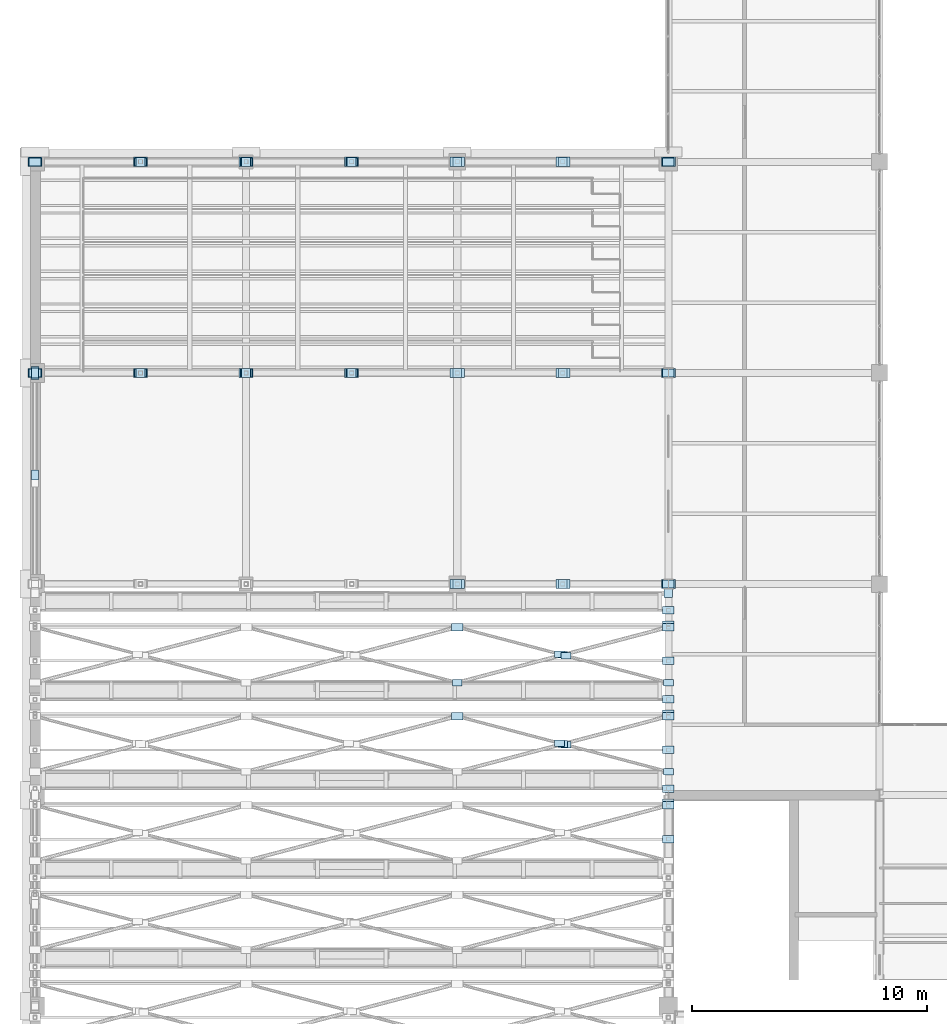
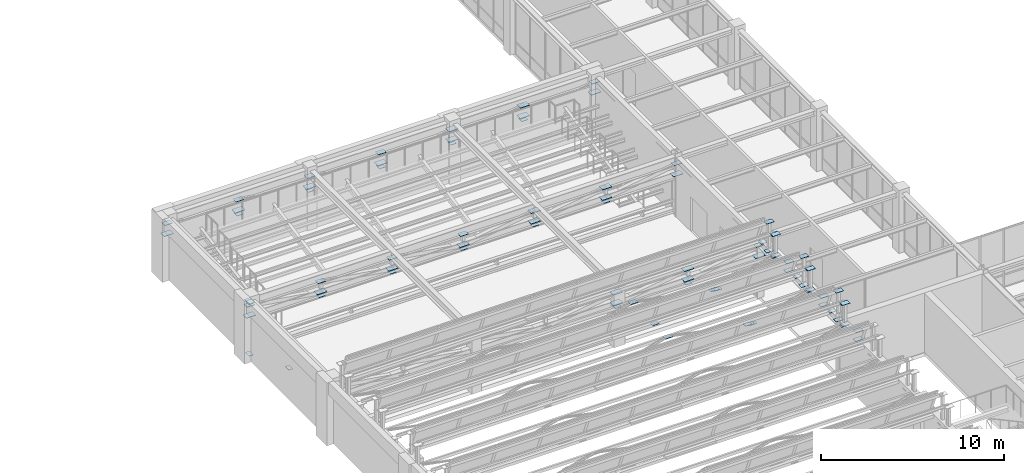
# One storey, part 88 of 108: 85 plates.
"""IFC4 building model written with IfcOpenShell, lengths in metres."""

import ifcopenshell
import ifcopenshell.guid

model = None  # the IFC model being written
_history = None  # IfcOwnerHistory: only IFC2X3 demands one
_inside = {}  # id of a spatial element -> (the spatial element, [elements in it])
_under = {}  # id of a project, library or spatial element -> (it, [spatial elements below it])
_declared = {}  # id of a project -> (the project, [libraries it declares])
_typed = {}  # id of a type object -> (the type object, [elements of that type])
_made_of = {}  # id of a material, layer set ... -> (it, [elements and type objects made of it])


def new_model(schema):
    """Start an empty IFC model of exactly this schema.

    Asked for "IFC4X3", IfcOpenShell would pick the latest addendum, in which some entities
    have other attributes; the version numbers below select the first issue.
    IFC2X3 requires an IfcOwnerHistory on every rooted entity: one is made here for all.
    """
    global model, _history
    if schema == "IFC4X3":
        model = ifcopenshell.file(schema_version=(4, 3, 0, 0))
    else:
        model = ifcopenshell.file(schema=schema)
    _inside.clear()
    _under.clear()
    _declared.clear()
    _typed.clear()
    _made_of.clear()
    _history = None
    if model.schema == "IFC2X3":
        org = make("IfcOrganization", Name="unknown")
        user = make(
            "IfcPersonAndOrganization",
            ThePerson=make("IfcPerson", FamilyName="unknown"),
            TheOrganization=org,
        )
        app = make(
            "IfcApplication",
            ApplicationDeveloper=org,
            Version="unknown",
            ApplicationFullName="unknown",
            ApplicationIdentifier="unknown",
        )
        _history = make(
            "IfcOwnerHistory",
            OwningUser=user,
            OwningApplication=app,
            ChangeAction="ADDED",
            CreationDate=0,
        )
    return model


def make(cls, **values):
    """One entity of the class cls with the attributes given. An attribute that is None is left unset."""
    return model.create_entity(
        cls, **{name: value for name, value in values.items() if value is not None}
    )


def rooted(cls, **values):
    """An entity with a GlobalId (a new one), such as an element, a storey or a relation."""
    return make(cls, GlobalId=ifcopenshell.guid.new(), OwnerHistory=_history, **values)


def si_unit(unit_type, name, prefix=None):
    """IfcSIUnit, for example si_unit("LENGTHUNIT", "METRE", prefix="MILLI")."""
    return make("IfcSIUnit", UnitType=unit_type, Prefix=prefix, Name=name)


def assignment(units):
    """IfcUnitAssignment: the units of a project."""
    return None if units is None else make("IfcUnitAssignment", Units=units)


def point(xyz):
    """IfcCartesianPoint."""
    return None if xyz is None else make("IfcCartesianPoint", Coordinates=xyz)


def direction(xyz):
    """IfcDirection."""
    return None if xyz is None else make("IfcDirection", DirectionRatios=xyz)


def frame(location, z_axis=None, x_axis=None):
    """IfcAxis2Placement3D, a coordinate frame: its origin and axes. An axis left out is left unset."""
    return make(
        "IfcAxis2Placement3D",
        Location=point(location),
        Axis=direction(z_axis),
        RefDirection=direction(x_axis),
    )


def frame_2d(location, x_axis=None):
    """IfcAxis2Placement2D, a coordinate frame in the plane: its origin and x axis."""
    return make(
        "IfcAxis2Placement2D", Location=point(location), RefDirection=direction(x_axis)
    )


def origin():
    """The frame at (0, 0, 0) with its axes left unset."""
    return frame((0.0, 0.0, 0.0))


def origin_2d():
    """The frame at (0, 0) in the plane with its x axis left unset."""
    return frame_2d((0.0, 0.0))


def place(relative_to, where):
    """IfcLocalPlacement: puts the frame where relative to a parent placement (None: the world)."""
    return make(
        "IfcLocalPlacement", PlacementRelTo=relative_to, RelativePlacement=where
    )


def context(
    kind, dimensions, precision=None, world=None, true_north=None, identifier=None
):
    """IfcGeometricRepresentationContext, for example the 3D "Model" context."""
    return make(
        "IfcGeometricRepresentationContext",
        ContextIdentifier=identifier,
        ContextType=kind,
        CoordinateSpaceDimension=dimensions,
        Precision=precision,
        WorldCoordinateSystem=world,
        TrueNorth=true_north,
    )


def subcontext(parent, identifier, kind, view, scale=None):
    """IfcGeometricRepresentationSubContext, for example "Body" below "Model"."""
    return make(
        "IfcGeometricRepresentationSubContext",
        ContextIdentifier=identifier,
        ContextType=kind,
        ParentContext=parent,
        TargetScale=scale,
        TargetView=view,
    )


def project(units=None, contexts=None):
    """IfcProject with its units and contexts."""
    return rooted(
        "IfcProject",
        Name="project",
        RepresentationContexts=contexts,
        UnitsInContext=assignment(units),
    )


def spatial(cls, under=None, at=None, **own):
    """A site, building, storey or space (cls), placed at a placement, below another one or the project."""
    s = rooted(cls, ObjectPlacement=at, **own)
    if under is not None:
        _under.setdefault(under.id(), (under, []))[1].append(s)
    return s


def profile(cls, at=None, kind="AREA", **sizes):
    """A parametric profile (cls). Its sizes go by their IFC names, for example OverallWidth=200.0."""
    return make(cls, ProfileType=kind, Position=at, **sizes)


def rectangle(**sizes):
    """IfcRectangleProfileDef."""
    return profile("IfcRectangleProfileDef", **sizes)


def extrude(swept, where, along, depth):
    """IfcExtrudedAreaSolid: the profile swept, set in the frame where, extruded along a direction by depth."""
    return make(
        "IfcExtrudedAreaSolid",
        SweptArea=swept,
        Position=where,
        ExtrudedDirection=direction(along),
        Depth=depth,
    )


def shape(context_of_items, identifier, shape_type, items):
    """IfcShapeRepresentation: the items that make up one representation, for example the "Body"."""
    return make(
        "IfcShapeRepresentation",
        ContextOfItems=context_of_items,
        RepresentationIdentifier=identifier,
        RepresentationType=shape_type,
        Items=items,
    )


def material(Name=None, Category=None):
    """IfcMaterial."""
    return make("IfcMaterial", Name=Name, Category=Category)


def layer(
    of_material, thickness, ventilated=None, Name=None, Category=None, Priority=None
):
    """IfcMaterialLayer: one layer of a wall or slab, of a material (None: an air gap)."""
    return make(
        "IfcMaterialLayer",
        Material=of_material,
        LayerThickness=thickness,
        IsVentilated=ventilated,
        Name=Name,
        Category=Category,
        Priority=Priority,
    )


def layer_set(layers, Name=None):
    """IfcMaterialLayerSet."""
    return make("IfcMaterialLayerSet", MaterialLayers=layers, LayerSetName=Name)


def made_of(thing, what):
    """Note that an element or type object is made of a material, layer set ...; save() writes the relation."""
    if what is not None:
        _made_of.setdefault(what.id(), (what, []))[1].append(thing)
    return thing


def type_object(cls, material=None, **own):
    """A type object (cls), such as IfcWallType, which elements share."""
    return made_of(rooted(cls, **own), material)


def element(
    cls,
    number,
    at=None,
    inside=None,
    cuts=None,
    type_object=None,
    material=None,
    context=None,
    identifier="Body",
    shape_type=None,
    held_by="IfcProductDefinitionShape",
    body=None,
    shapes=None,
    **own,
):
    """One element of the class cls, such as IfcWall. Its Tag is "e" and its number.

    at: its placement. inside: the storey or other place that contains it. cuts: it is an
    opening in that element (IfcRelVoidsElement). A single representation is given by context,
    identifier, shape_type and body (its items); several are given by shapes. held_by: the class
    of the entity that holds the representations. save() writes the other relations.
    """
    e = rooted(cls, Tag="e%d" % number, ObjectPlacement=at, **own)
    if body is not None:
        shapes = [shape(context, identifier, shape_type, body)]
    if shapes is not None:
        e.Representation = make(held_by, Representations=shapes)
    if inside is not None:
        _inside.setdefault(inside.id(), (inside, []))[1].append(e)
    if cuts is not None:
        rooted(
            "IfcRelVoidsElement", RelatingBuildingElement=cuts, RelatedOpeningElement=e
        )
    if type_object is not None:
        _typed.setdefault(type_object.id(), (type_object, []))[1].append(e)
    return made_of(e, material)


def aggregate(whole, parts):
    """IfcRelAggregates: a whole, such as a stair, and the parts it consists of."""
    return rooted("IfcRelAggregates", RelatingObject=whole, RelatedObjects=parts)


def save(model, path):
    """Write the relations noted so far, then the file.

    IfcRelAggregates (storeys below a building ...), IfcRelContainedInSpatialStructure (elements
    in a storey), IfcRelDefinesByType, IfcRelAssociatesMaterial and IfcRelDeclares: one each for
    every whole, place, type object, material and project.
    """
    for whole, parts in _under.values():
        aggregate(whole, parts)
    for where, things in _inside.values():
        rooted(
            "IfcRelContainedInSpatialStructure",
            RelatedElements=things,
            RelatingStructure=where,
        )
    for kind, things in _typed.values():
        rooted("IfcRelDefinesByType", RelatedObjects=things, RelatingType=kind)
    for what, things in _made_of.values():
        rooted("IfcRelAssociatesMaterial", RelatedObjects=things, RelatingMaterial=what)
    for by, libraries in _declared.values():
        rooted("IfcRelDeclares", RelatingContext=by, RelatedDefinitions=libraries)
    model.write(path)


model = new_model("IFC4")

# Units and contexts
model_context = context("Model", 3, precision=1e-05, world=origin(), true_north=direction((0.0, 1.0)))
body_context = subcontext(model_context, "Body", "Model", "MODEL_VIEW")
ifc_project = project(units=[si_unit("LENGTHUNIT", "METRE"), si_unit("AREAUNIT", "SQUARE_METRE"), si_unit("VOLUMEUNIT", "CUBIC_METRE"), si_unit("PLANEANGLEUNIT", "RADIAN"), si_unit("MASSUNIT", "GRAM", prefix="KILO")], contexts=[model_context])

# Site, building, storey
site_placement = place(None, origin())
site = spatial("IfcSite", under=ifc_project, at=site_placement, CompositionType="ELEMENT")
building_placement = place(site_placement, origin())
building = spatial("IfcBuilding", under=site, at=building_placement, Name="Lykobir Media Centre", CompositionType="ELEMENT")
storey_placement = place(building_placement, frame((0.0, 0.0, 15.0)))
storey = spatial("IfcBuildingStorey", under=building, at=storey_placement, Name="L03", CompositionType="ELEMENT", Elevation=15.0)

# Plates
ifc_material = material(Name="Steel S355", Category="steel")
ifc_layer_1 = layer(ifc_material, 0.02001953125, Name="Steel S355")
ifc_layer_set_1 = layer_set([ifc_layer_1], Name="Steel S355")
plate_type_1 = type_object("IfcPlateType", Name="CP-320", PredefinedType="SHEET", material=ifc_layer_set_1)
plate_1_placement = place(storey_placement, frame((27.0, 26.60009765625, 3.830078125), z_axis=(0.0, 0.0, 1.0), x_axis=(1.0, 0.0, 0.0)))
element("IfcPlate", 1, at=plate_1_placement, inside=storey, type_object=plate_type_1, Name="Structural plate PLT-L03-0270-0266-0188", PredefinedType="SHEET", context=body_context, shape_type="SweptSolid", body=[
    extrude(rectangle(XDim=0.360107421875, YDim=0.360107421875, at=origin_2d()), origin(), (0.0, 0.0, 1.0), 0.02001953125),
])
ifc_layer_2 = layer(ifc_material, 0.02197265625, Name="Steel S355")
ifc_layer_set_2 = layer_set([ifc_layer_2], Name="Steel S355")
plate_type_2 = type_object("IfcPlateType", Name="CP-360", PredefinedType="SHEET", material=ifc_layer_set_2)
for number, where, z_axis, x_axis, name in (
    (2, (18.0, 27.0, 2.448974609375), (0.0, 0.0, 1.0), (1.0, 0.0, 0.0), "Structural plate PLT-L03-0180-0270-0175"),
    (3, (22.5, 27.0, 2.448974609375), (0.0, 0.0, 1.0), (1.0, 0.0, 0.0), "Structural plate PLT-L03-0225-0270-0175"),
    (4, (4.5, 36.0, 2.448974609375), (0.0, 0.0, 1.0), (1.0, 0.0, 0.0), "Structural plate PLT-L03-0045-0360-0175"),
    (5, (9.0, 36.0, 2.448974609375), (0.0, 0.0, 1.0), (1.0, 0.0, 0.0), "Structural plate PLT-L03-0090-0360-0175"),
    (6, (13.5, 36.0, 2.448974609375), (0.0, 0.0, 1.0), (1.0, 0.0, 0.0), "Structural plate PLT-L03-0135-0360-0175"),
    (7, (18.0, 36.0, 2.448974609375), (0.0, 0.0, 1.0), (1.0, 0.0, 0.0), "Structural plate PLT-L03-0180-0360-0175"),
    (8, (22.5, 36.0, 2.448974609375), (0.0, 0.0, 1.0), (1.0, 0.0, 0.0), "Structural plate PLT-L03-0225-0360-0175"),
    (9, (4.5, 45.0, 2.448974609375), (0.0, 0.0, 1.0), (1.0, 0.0, 0.0), "Structural plate PLT-L03-0045-0450-0175"),
    (10, (9.0, 45.0, 2.448974609375), (0.0, 0.0, 1.0), (1.0, 0.0, 0.0), "Structural plate PLT-L03-0090-0450-0175"),
    (11, (13.5, 45.0, 2.448974609375), (0.0, 0.0, 1.0), (1.0, 0.0, 0.0), "Structural plate PLT-L03-0135-0450-0175"),
    (12, (18.0, 45.0, 2.448974609375), (0.0, 0.0, 1.0), (1.0, 0.0, 0.0), "Structural plate PLT-L03-0180-0450-0175"),
    (13, (22.5, 45.0, 2.448974609375), (0.0, 0.0, 1.0), (1.0, 0.0, 0.0), "Structural plate PLT-L03-0225-0450-0175"),
):
    element("IfcPlate", number, at=place(storey_placement, frame(where, z_axis=z_axis, x_axis=x_axis)), inside=storey, type_object=plate_type_2, Name=name, PredefinedType="SHEET", context=body_context, shape_type="SweptSolid", body=[
        extrude(rectangle(XDim=0.3798828125, YDim=0.3798828125, at=origin_2d()), origin(), (0.0, 0.0, 1.0), 0.02197265625),
    ])
ifc_layer_3 = layer(ifc_material, 0.02001953125, Name="Steel S355")
ifc_layer_set_3 = layer_set([ifc_layer_3], Name="Steel S355")
plate_type_3 = type_object("IfcPlateType", Name="GP-420", PredefinedType="USERDEFINED", material=ifc_layer_set_3)
for number, where, z_axis, x_axis, name in (
    (14, (27.0, 19.0, 3.830078125), (0.0, 0.0, 1.0), (1.0, 0.0, 0.0), "Structural plate PLT-L03-0270-0190-0188"),
    (15, (22.5, 20.1806640625, 3.830078125), (0.0, 0.0, 1.0), (1.0, 0.0, 0.0), "Structural plate PLT-L03-0225-0202-0188"),
    (16, (22.635498046875, 20.14501953125, 3.830078125), (0.0, 0.0, 1.0), (1.0, 0.0, 0.0), "Structural plate PLT-L03-0226-0201-0188"),
    (17, (22.364501953125, 20.216064453125, 3.830078125), (0.0, 0.0, 1.0), (1.0, 0.0, 0.0), "Structural plate PLT-L03-0224-0202-0188"),
    (18, (27.0, 22.800048828125, 3.830078125), (0.0, 0.0, 1.0), (1.0, 0.0, 0.0), "Structural plate PLT-L03-0270-0228-0188"),
    (19, (18.0, 22.800048828125, 3.830078125), (0.0, 0.0, 1.0), (1.0, 0.0, 0.0), "Structural plate PLT-L03-0180-0228-0188"),
    (20, (22.5, 23.980712890625, 3.830078125), (0.0, 0.0, 1.0), (1.0, 0.0, 0.0), "Structural plate PLT-L03-0225-0240-0188"),
    (21, (22.635498046875, 23.9453125, 3.830078125), (0.0, 0.0, 1.0), (1.0, 0.0, 0.0), "Structural plate PLT-L03-0226-0239-0188"),
    (22, (22.364501953125, 24.01611328125, 3.830078125), (0.0, 0.0, 1.0), (1.0, 0.0, 0.0), "Structural plate PLT-L03-0224-0240-0188"),
    (23, (0.0, 36.0, 0.110107421875), (0.0, 0.0, 1.0), (0.0, 1.0, 0.0), "Structural plate PLT-L03-0000-0360-0151"),
    (24, (0.0, 31.64892578125, 1.811767578125), (0.0, 0.0, 1.0), (0.0, 1.0, 0.0), "Structural plate PLT-L03-0000-0316-0168"),
):
    element("IfcPlate", number, at=place(storey_placement, frame(where, z_axis=z_axis, x_axis=x_axis)), inside=storey, type_object=plate_type_3, Name=name, ObjectType="GUSSET_PLATE", PredefinedType="USERDEFINED", context=body_context, shape_type="SweptSolid", body=[
        extrude(rectangle(XDim=0.419921875, YDim=0.280029296875, at=origin_2d()), origin(), (0.0, 0.0, 1.0), 0.02001953125),
    ])
ifc_layer_4 = layer(ifc_material, 0.02392578125, Name="Steel S355")
ifc_layer_set_4 = layer_set([ifc_layer_4], Name="Steel S355")
plate_type_4 = type_object("IfcPlateType", Name="GP-480", PredefinedType="USERDEFINED", material=ifc_layer_set_4)
for number, where, z_axis, x_axis, name in (
    (25, (27.0, 18.28125, 3.68798828125), (0.0, 0.0, 1.0), (1.0, 0.0, 0.0), "Structural plate PLT-L03-0270-0183-0187"),
    (26, (27.0, 18.28125, 5.616943359375), (0.0, 0.0, 1.0), (1.0, 0.0, 0.0), "Structural plate PLT-L03-0270-0183-0206"),
    (27, (27.0, 17.561279296875, 3.828125), (0.0, 0.0, 1.0), (1.0, 0.0, 0.0), "Structural plate PLT-L03-0270-0176-0188"),
    (28, (27.0, 17.561279296875, 5.2314453125), (0.0, 0.0, 1.0), (1.0, 0.0, 0.0), "Structural plate PLT-L03-0270-0176-0202"),
    (29, (27.0, 16.127197265625, 3.68798828125), (0.0, 0.0, 1.0), (1.0, 0.0, 0.0), "Structural plate PLT-L03-0270-0161-0187"),
    (30, (27.0, 16.127197265625, 4.270751953125), (0.0, 0.0, 1.0), (1.0, 0.0, 0.0), "Structural plate PLT-L03-0270-0161-0193"),
    (31, (27.0, 17.66796875, 3.68798828125), (0.0, 0.0, 1.0), (1.0, 0.0, 0.0), "Structural plate PLT-L03-0270-0177-0187"),
    (32, (27.0, 17.66796875, 5.160400390625), (0.0, 0.0, 1.0), (1.0, 0.0, 0.0), "Structural plate PLT-L03-0270-0177-0202"),
    (33, (27.0, 22.081298828125, 3.68798828125), (0.0, 0.0, 1.0), (1.0, 0.0, 0.0), "Structural plate PLT-L03-0270-0221-0187"),
    (34, (27.0, 22.081298828125, 5.616943359375), (0.0, 0.0, 1.0), (1.0, 0.0, 0.0), "Structural plate PLT-L03-0270-0221-0206"),
    (35, (27.0, 21.361328125, 3.828125), (0.0, 0.0, 1.0), (1.0, 0.0, 0.0), "Structural plate PLT-L03-0270-0214-0188"),
    (36, (27.0, 21.361328125, 5.2314453125), (0.0, 0.0, 1.0), (1.0, 0.0, 0.0), "Structural plate PLT-L03-0270-0214-0202"),
    (37, (18.0, 21.361328125, 3.828125), (0.0, 0.0, 1.0), (1.0, 0.0, 0.0), "Structural plate PLT-L03-0180-0214-0188"),
    (38, (27.0, 19.92724609375, 3.68798828125), (0.0, 0.0, 1.0), (1.0, 0.0, 0.0), "Structural plate PLT-L03-0270-0199-0187"),
    (39, (27.0, 19.92724609375, 4.270751953125), (0.0, 0.0, 1.0), (1.0, 0.0, 0.0), "Structural plate PLT-L03-0270-0199-0193"),
    (40, (27.0, 21.468017578125, 3.68798828125), (0.0, 0.0, 1.0), (1.0, 0.0, 0.0), "Structural plate PLT-L03-0270-0215-0187"),
    (41, (27.0, 21.468017578125, 5.160400390625), (0.0, 0.0, 1.0), (1.0, 0.0, 0.0), "Structural plate PLT-L03-0270-0215-0202"),
    (42, (27.0, 25.88134765625, 3.68798828125), (0.0, 0.0, 1.0), (1.0, 0.0, 0.0), "Structural plate PLT-L03-0270-0259-0187"),
    (43, (27.0, 25.88134765625, 5.616943359375), (0.0, 0.0, 1.0), (1.0, 0.0, 0.0), "Structural plate PLT-L03-0270-0259-0206"),
    (44, (27.0, 25.161376953125, 3.828125), (0.0, 0.0, 1.0), (1.0, 0.0, 0.0), "Structural plate PLT-L03-0270-0252-0188"),
    (45, (27.0, 25.161376953125, 5.2314453125), (0.0, 0.0, 1.0), (1.0, 0.0, 0.0), "Structural plate PLT-L03-0270-0252-0202"),
    (46, (18.0, 25.161376953125, 3.828125), (0.0, 0.0, 1.0), (1.0, 0.0, 0.0), "Structural plate PLT-L03-0180-0252-0188"),
    (47, (27.0, 23.727294921875, 3.68798828125), (0.0, 0.0, 1.0), (1.0, 0.0, 0.0), "Structural plate PLT-L03-0270-0237-0187"),
    (48, (27.0, 23.727294921875, 4.270751953125), (0.0, 0.0, 1.0), (1.0, 0.0, 0.0), "Structural plate PLT-L03-0270-0237-0193"),
    (49, (27.0, 25.267822265625, 3.68798828125), (0.0, 0.0, 1.0), (1.0, 0.0, 0.0), "Structural plate PLT-L03-0270-0253-0187"),
    (50, (27.0, 25.267822265625, 5.160400390625), (0.0, 0.0, 1.0), (1.0, 0.0, 0.0), "Structural plate PLT-L03-0270-0253-0202"),
):
    element("IfcPlate", number, at=place(storey_placement, frame(where, z_axis=z_axis, x_axis=x_axis)), inside=storey, type_object=plate_type_4, Name=name, ObjectType="GUSSET_PLATE", PredefinedType="USERDEFINED", context=body_context, shape_type="SweptSolid", body=[
        extrude(rectangle(XDim=0.47998046875, YDim=0.320068359375, at=origin_2d()), origin(), (0.0, 0.0, 1.0), 0.02392578125),
    ])
ifc_layer_5 = layer(ifc_material, 0.02587890625, Name="Steel S355")
ifc_layer_set_5 = layer_set([ifc_layer_5], Name="Steel S355")
plate_type_5 = type_object("IfcPlateType", Name="GP-500", PredefinedType="USERDEFINED", material=ifc_layer_set_5)
for number, where, z_axis, x_axis, name in (
    (51, (27.0, 27.0, 3.386962890625), (0.0, 0.0, 1.0), (1.0, 0.0, 0.0), "Structural plate PLT-L03-0270-0270-0184"),
    (52, (0.0, 36.0, 3.386962890625), (0.0, 0.0, 1.0), (1.0, 0.0, 0.0), "Structural plate PLT-L03-0000-0360-0184"),
    (53, (4.5, 36.0, 3.386962890625), (0.0, 0.0, 1.0), (1.0, 0.0, 0.0), "Structural plate PLT-L03-0045-0360-0184"),
    (54, (9.0, 36.0, 3.386962890625), (0.0, 0.0, 1.0), (1.0, 0.0, 0.0), "Structural plate PLT-L03-0090-0360-0184"),
    (55, (13.5, 36.0, 3.386962890625), (0.0, 0.0, 1.0), (1.0, 0.0, 0.0), "Structural plate PLT-L03-0135-0360-0184"),
    (56, (27.0, 36.0, 3.386962890625), (0.0, 0.0, 1.0), (1.0, 0.0, 0.0), "Structural plate PLT-L03-0270-0360-0184"),
    (57, (0.0, 45.0, 3.386962890625), (0.0, 0.0, 1.0), (1.0, 0.0, 0.0), "Structural plate PLT-L03-0000-0450-0184"),
    (58, (4.5, 45.0, 3.386962890625), (0.0, 0.0, 1.0), (1.0, 0.0, 0.0), "Structural plate PLT-L03-0045-0450-0184"),
    (59, (9.0, 45.0, 3.386962890625), (0.0, 0.0, 1.0), (1.0, 0.0, 0.0), "Structural plate PLT-L03-0090-0450-0184"),
    (60, (13.5, 45.0, 3.386962890625), (0.0, 0.0, 1.0), (1.0, 0.0, 0.0), "Structural plate PLT-L03-0135-0450-0184"),
    (61, (27.0, 45.0, 3.386962890625), (0.0, 0.0, 1.0), (1.0, 0.0, 0.0), "Structural plate PLT-L03-0270-0450-0184"),
):
    element("IfcPlate", number, at=place(storey_placement, frame(where, z_axis=z_axis, x_axis=x_axis)), inside=storey, type_object=plate_type_5, Name=name, ObjectType="GUSSET_PLATE", PredefinedType="USERDEFINED", context=body_context, shape_type="SweptSolid", body=[
        extrude(rectangle(XDim=0.5, YDim=0.340087890625, at=origin_2d()), origin(), (0.0, 0.0, 1.0), 0.02587890625),
    ])
ifc_layer_6 = layer(ifc_material, 0.028076171875, Name="Steel S355")
ifc_layer_set_6 = layer_set([ifc_layer_6], Name="Steel S355")
plate_type_6 = type_object("IfcPlateType", Name="GP-540", PredefinedType="USERDEFINED", material=ifc_layer_set_6)
plate_2_placement = place(storey_placement, frame((0.0, 36.0, 3.6259765625), z_axis=(0.0, 0.0, 1.0), x_axis=(0.0, 1.0, 0.0)))
element("IfcPlate", 62, at=plate_2_placement, inside=storey, type_object=plate_type_6, Name="Structural plate PLT-L03-0000-0360-0186", ObjectType="GUSSET_PLATE", PredefinedType="USERDEFINED", context=body_context, shape_type="SweptSolid", body=[
    extrude(rectangle(XDim=0.5400390625, YDim=0.360107421875, at=origin_2d()), origin(), (0.0, 0.0, 1.0), 0.028076171875),
])
ifc_layer_7 = layer(ifc_material, 0.031982421875, Name="Steel S355")
ifc_layer_set_7 = layer_set([ifc_layer_7], Name="Steel S355")
plate_type_7 = type_object("IfcPlateType", Name="GP-600", PredefinedType="USERDEFINED", material=ifc_layer_set_7)
for number, where, z_axis, x_axis, name in (
    (63, (18.0, 27.0, 3.3837890625), (0.0, 0.0, 1.0), (1.0, 0.0, 0.0), "Structural plate PLT-L03-0180-0270-0184"),
    (64, (18.0, 27.0, 2.68408203125), (0.0, 0.0, 1.0), (1.0, 0.0, 0.0), "Structural plate PLT-L03-0180-0270-0177"),
    (65, (22.5, 27.0, 3.3837890625), (0.0, 0.0, 1.0), (1.0, 0.0, 0.0), "Structural plate PLT-L03-0225-0270-0184"),
    (66, (22.5, 27.0, 2.68408203125), (0.0, 0.0, 1.0), (1.0, 0.0, 0.0), "Structural plate PLT-L03-0225-0270-0177"),
    (67, (27.0, 27.0, 2.68408203125), (0.0, 0.0, 1.0), (1.0, 0.0, 0.0), "Structural plate PLT-L03-0270-0270-0177"),
    (68, (0.0, 36.0, 2.68408203125), (0.0, 0.0, 1.0), (1.0, 0.0, 0.0), "Structural plate PLT-L03-0000-0360-0177"),
    (69, (4.5, 36.0, 2.68408203125), (0.0, 0.0, 1.0), (1.0, 0.0, 0.0), "Structural plate PLT-L03-0045-0360-0177"),
    (70, (9.0, 36.0, 2.68408203125), (0.0, 0.0, 1.0), (1.0, 0.0, 0.0), "Structural plate PLT-L03-0090-0360-0177"),
    (71, (13.5, 36.0, 2.68408203125), (0.0, 0.0, 1.0), (1.0, 0.0, 0.0), "Structural plate PLT-L03-0135-0360-0177"),
    (72, (18.0, 36.0, 3.3837890625), (0.0, 0.0, 1.0), (1.0, 0.0, 0.0), "Structural plate PLT-L03-0180-0360-0184"),
    (73, (18.0, 36.0, 2.68408203125), (0.0, 0.0, 1.0), (1.0, 0.0, 0.0), "Structural plate PLT-L03-0180-0360-0177"),
    (74, (22.5, 36.0, 3.3837890625), (0.0, 0.0, 1.0), (1.0, 0.0, 0.0), "Structural plate PLT-L03-0225-0360-0184"),
    (75, (22.5, 36.0, 2.68408203125), (0.0, 0.0, 1.0), (1.0, 0.0, 0.0), "Structural plate PLT-L03-0225-0360-0177"),
    (76, (27.0, 36.0, 2.68408203125), (0.0, 0.0, 1.0), (1.0, 0.0, 0.0), "Structural plate PLT-L03-0270-0360-0177"),
    (77, (0.0, 45.0, 2.68408203125), (0.0, 0.0, 1.0), (1.0, 0.0, 0.0), "Structural plate PLT-L03-0000-0450-0177"),
    (78, (4.5, 45.0, 2.68408203125), (0.0, 0.0, 1.0), (1.0, 0.0, 0.0), "Structural plate PLT-L03-0045-0450-0177"),
    (79, (9.0, 45.0, 2.68408203125), (0.0, 0.0, 1.0), (1.0, 0.0, 0.0), "Structural plate PLT-L03-0090-0450-0177"),
    (80, (13.5, 45.0, 2.68408203125), (0.0, 0.0, 1.0), (1.0, 0.0, 0.0), "Structural plate PLT-L03-0135-0450-0177"),
    (81, (18.0, 45.0, 3.3837890625), (0.0, 0.0, 1.0), (1.0, 0.0, 0.0), "Structural plate PLT-L03-0180-0450-0184"),
    (82, (18.0, 45.0, 2.68408203125), (0.0, 0.0, 1.0), (1.0, 0.0, 0.0), "Structural plate PLT-L03-0180-0450-0177"),
    (83, (22.5, 45.0, 3.3837890625), (0.0, 0.0, 1.0), (1.0, 0.0, 0.0), "Structural plate PLT-L03-0225-0450-0184"),
    (84, (22.5, 45.0, 2.68408203125), (0.0, 0.0, 1.0), (1.0, 0.0, 0.0), "Structural plate PLT-L03-0225-0450-0177"),
    (85, (27.0, 45.0, 2.68408203125), (0.0, 0.0, 1.0), (1.0, 0.0, 0.0), "Structural plate PLT-L03-0270-0450-0177"),
):
    element("IfcPlate", number, at=place(storey_placement, frame(where, z_axis=z_axis, x_axis=x_axis)), inside=storey, type_object=plate_type_7, Name=name, ObjectType="GUSSET_PLATE", PredefinedType="USERDEFINED", context=body_context, shape_type="SweptSolid", body=[
        extrude(rectangle(XDim=0.60009765625, YDim=0.39990234375, at=origin_2d()), origin(), (0.0, 0.0, 1.0), 0.031982421875),
    ])

save(model, "model.ifc")
